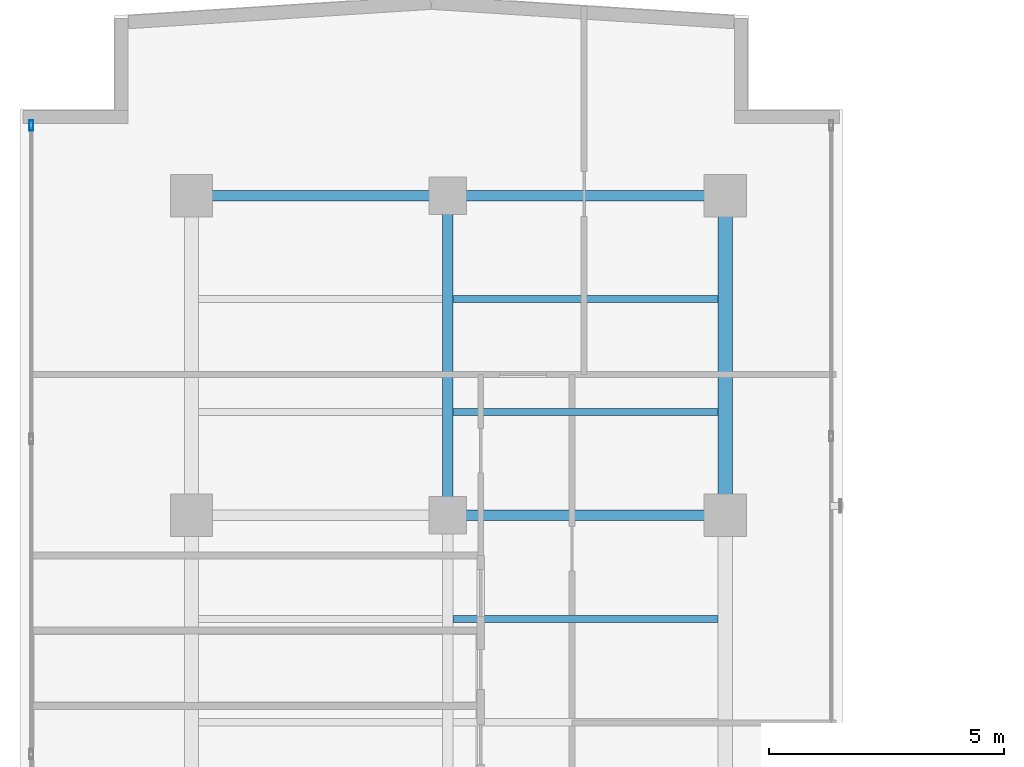
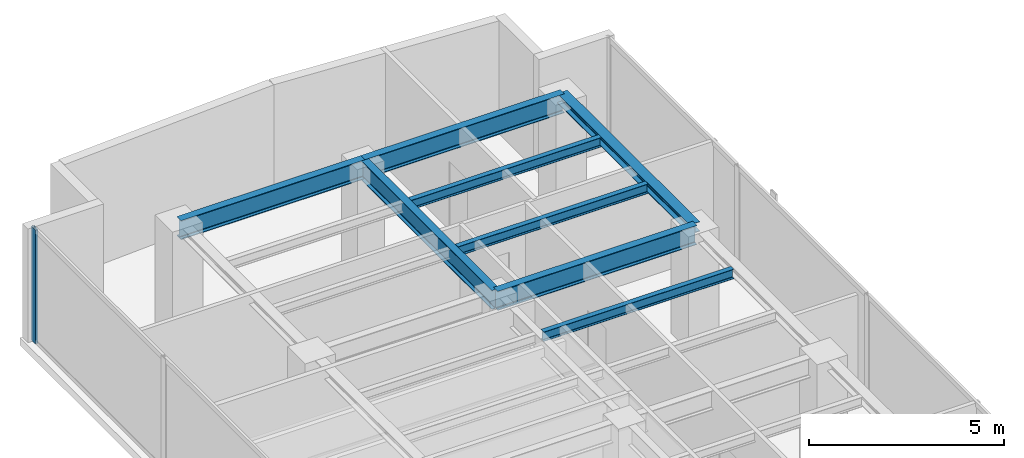
# One storey, part 14 of 24: 8 beams, 1 member, 1 element without a shape of its own.
"""IFC4 building model written with IfcOpenShell, lengths in metres."""

from ifc_helpers import new_model, si_unit, direction, frame, origin, origin_with_axes, origin_2d, place, context, subcontext, project, spatial, hollow_rectangle, i_section, extrude, source, transform, mapped, material, layer, layer_set, material_profile, profile_set, type_object, element, aggregate, save


model = new_model("IFC4")

# Units and contexts
model_context = context("Model", 3, precision=1e-05, world=origin(), true_north=direction((0.0, 1.0)))
body_context = subcontext(model_context, "Body", "Model", "MODEL_VIEW")
ifc_project = project(units=[si_unit("LENGTHUNIT", "METRE"), si_unit("AREAUNIT", "SQUARE_METRE"), si_unit("VOLUMEUNIT", "CUBIC_METRE"), si_unit("PLANEANGLEUNIT", "RADIAN"), si_unit("MASSUNIT", "GRAM", prefix="KILO")], contexts=[model_context])

# Site, building, storey
site_placement = place(None, origin())
site = spatial("IfcSite", under=ifc_project, at=site_placement, CompositionType="ELEMENT")
building_placement = place(site_placement, origin())
building = spatial("IfcBuilding", under=site, at=building_placement, Name="Kolvaren Waterfront Exchange", CompositionType="ELEMENT")
storey_placement = place(building_placement, frame((0.0, 0.0, 300.800048828125)))
storey = spatial("IfcBuildingStorey", under=building, at=storey_placement, Name="L77", CompositionType="ELEMENT", Elevation=300.800048828125)

# Beams
ifc_material_1 = material(Name="Steel S355", Category="steel")
ifc_material_profile_1 = material_profile(ifc_material_1, i_section(OverallWidth=0.300048828125, OverallDepth=0.300048828125, WebThickness=0.010986328125, FlangeThickness=0.01904296875, FilletRadius=0.027099609375, at=origin_2d()), Name="HEB300")
ifc_profile_set_1 = profile_set([ifc_material_profile_1], Name="Steel S355")
beam_type_1 = type_object("IfcBeamType", Name="STR-BM-HEB300", PredefinedType="SPANDREL", material=ifc_profile_set_1)
beam_1_placement = place(storey_placement, frame((18.800048828125, 37.800048828125, 3.409912109375), z_axis=(0.0, 1.0, 0.0), x_axis=(-1.0, 0.0, 0.0)))
element("IfcBeam", 1, at=beam_1_placement, inside=storey, type_object=beam_type_1, Name="L77 north-arm edge beam 3", PredefinedType="SPANDREL", context=body_context, shape_type="SweptSolid", body=[
    extrude(i_section(OverallWidth=0.300048828125, OverallDepth=0.300048828125, WebThickness=0.010986328125, FlangeThickness=0.01904296875, FilletRadius=0.027099609375, at=origin_2d()), origin(), (0.0, 0.0, 1.0), 6.800048828125),
])
ifc_material_profile_2 = material_profile(ifc_material_1, i_section(OverallWidth=0.14990234375, OverallDepth=0.300048828125, WebThickness=0.007080078125, FlangeThickness=0.0107421875, FilletRadius=0.014892578125, at=origin_2d()), Name="IPE300")
ifc_profile_set_2 = profile_set([ifc_material_profile_2], Name="Steel S355")
beam_type_2 = type_object("IfcBeamType", Name="STR-BM-IPE300", PredefinedType="JOIST", material=ifc_profile_set_2)
for number, where, z_axis, x_axis, name in (
    (2, (13.011962890625, 35.60009765625, 3.409912109375), (1.0, 0.0, 0.0), (0.0, 1.0, 0.0), "L77 north-arm composite joist 4B"),
    (3, (13.011962890625, 40.0, 3.409912109375), (1.0, 0.0, 0.0), (0.0, 1.0, 0.0), "L77 north-arm composite joist 5B"),
    (4, (13.011962890625, 42.39990234375, 3.409912109375), (1.0, 0.0, 0.0), (0.0, 1.0, 0.0), "L77 north-arm composite joist 6B"),
):
    element("IfcBeam", number, at=place(storey_placement, frame(where, z_axis=z_axis, x_axis=x_axis)), inside=storey, type_object=beam_type_2, Name=name, PredefinedType="JOIST", context=body_context, shape_type="SweptSolid", body=[
        extrude(i_section(OverallWidth=0.14990234375, OverallDepth=0.300048828125, WebThickness=0.007080078125, FlangeThickness=0.0107421875, FilletRadius=0.014892578125, at=origin_2d()), origin(), (0.0, 0.0, 1.0), 5.635986328125),
    ])
ifc_material_profile_3 = material_profile(ifc_material_1, i_section(OverallWidth=0.219970703125, OverallDepth=0.60009765625, WebThickness=0.011962890625, FlangeThickness=0.01904296875, FilletRadius=0.02392578125, at=origin_2d()), Name="IPE600")
ifc_profile_set_3 = profile_set([ifc_material_profile_3], Name="Steel S355")
beam_type_3 = type_object("IfcBeamType", Name="STR-BM-IPE600", PredefinedType="BEAM", material=ifc_profile_set_3)
beam_2_placement = place(storey_placement, frame((12.89990234375, 37.800048828125, 3.260009765625), z_axis=(1.0, 0.0, 0.0), x_axis=(0.0, 1.0, 0.0)))
element("IfcBeam", 5, at=beam_2_placement, inside=storey, type_object=beam_type_3, Name="L77 north-arm girder 3B", PredefinedType="BEAM", context=body_context, shape_type="SweptSolid", body=[
    extrude(i_section(OverallWidth=0.219970703125, OverallDepth=0.60009765625, WebThickness=0.011962890625, FlangeThickness=0.01904296875, FilletRadius=0.02392578125, at=origin_2d()), origin(), (0.0, 0.0, 1.0), 5.900146484375),
])
beam_3_placement = place(storey_placement, frame((7.449951171875, 44.60009765625, 3.260009765625), z_axis=(1.0, 0.0, 0.0), x_axis=(0.0, 1.0, 0.0)))
element("IfcBeam", 6, at=beam_3_placement, inside=storey, type_object=beam_type_3, Name="L77 north-arm girder 4A", PredefinedType="BEAM", context=body_context, shape_type="SweptSolid", body=[
    extrude(i_section(OverallWidth=0.219970703125, OverallDepth=0.60009765625, WebThickness=0.011962890625, FlangeThickness=0.01904296875, FilletRadius=0.02392578125, at=origin_2d()), origin(), (0.0, 0.0, 1.0), 5.449951171875),
])
beam_4_placement = place(storey_placement, frame((12.89990234375, 44.60009765625, 3.260009765625), z_axis=(1.0, 0.0, 0.0), x_axis=(0.0, 1.0, 0.0)))
element("IfcBeam", 7, at=beam_4_placement, inside=storey, type_object=beam_type_3, Name="L77 north-arm girder 4B", PredefinedType="BEAM", context=body_context, shape_type="SweptSolid", body=[
    extrude(i_section(OverallWidth=0.219970703125, OverallDepth=0.60009765625, WebThickness=0.011962890625, FlangeThickness=0.01904296875, FilletRadius=0.02392578125, at=origin_2d()), origin(), (0.0, 0.0, 1.0), 5.900146484375),
])
beam_5_placement = place(storey_placement, frame((12.89990234375, 37.800048828125, 3.260009765625), z_axis=(0.0, 1.0, 0.0), x_axis=(-1.0, 0.0, 0.0)))
element("IfcBeam", 8, at=beam_5_placement, inside=storey, type_object=beam_type_3, Name="L77 north-arm edge beam 3", PredefinedType="BEAM", context=body_context, shape_type="SweptSolid", body=[
    extrude(i_section(OverallWidth=0.219970703125, OverallDepth=0.60009765625, WebThickness=0.011962890625, FlangeThickness=0.01904296875, FilletRadius=0.02392578125, at=origin_2d()), origin(), (0.0, 0.0, 1.0), 6.800048828125),
])

# Curtain wall, member
ifc_material_2 = material(Name="Anodised aluminium 6063-T6", Category="aluminium")
ifc_layer = layer(ifc_material_2, 0.219970703125, Name="Anodised aluminium 6063-T6")
ifc_layer_set = layer_set([ifc_layer], Name="Anodised aluminium 6063-T6")
curtain_wall_type = type_object("IfcCurtainWallType", Name="ARC-CW-SYS2", PredefinedType="USERDEFINED", material=ifc_layer_set)
curtain_wall_placement = place(storey_placement, origin())
curtain_wall = element("IfcCurtainWall", 9, at=curtain_wall_placement, inside=storey, type_object=curtain_wall_type, Name="L77 stick curtain wall CW2 (CW-L77-W)", ObjectType="STICK CURTAIN WALL", PredefinedType="USERDEFINED")
ifc_material_profile_4 = material_profile(ifc_material_2, hollow_rectangle(XDim=0.080078125, YDim=0.219970703125, WallThickness=0.0048828125, at=origin_2d()), Name="ALU-MUL-220x80x5")
ifc_profile_set_4 = profile_set([ifc_material_profile_4], Name="Anodised aluminium 6063-T6")
member_type = type_object("IfcMemberType", Name="ARC-CWM-220", PredefinedType="MULLION", material=ifc_profile_set_4)
shared_shape = source(origin_with_axes(), body_context, "Body", "SweptSolid", [
    extrude(hollow_rectangle(XDim=0.080078125, YDim=0.219970703125, WallThickness=0.0048828125, at=origin_2d()), origin(), (0.0, 0.0, 1.0), 3.56005859375),
])
member_placement = place(storey_placement, frame((4.0400390625, 46.091552734375, 0.0), z_axis=(0.0, 0.0, 1.0), x_axis=(-1.0, 0.0, 0.0)))
member = element("IfcMember", 10, at=member_placement, type_object=member_type, Name="CW2 mullion 7", PredefinedType="MULLION", context=body_context, shape_type="MappedRepresentation", body=[
    mapped(shared_shape, transform((0.0, 0.0, 0.0), x_axis=(1.0, 0.0, 0.0), y_axis=(0.0, 1.0, 0.0), z_axis=(0.0, 0.0, 1.0), scale=1.0)),
])
aggregate(curtain_wall, [member])

save(model, "model.ifc")
